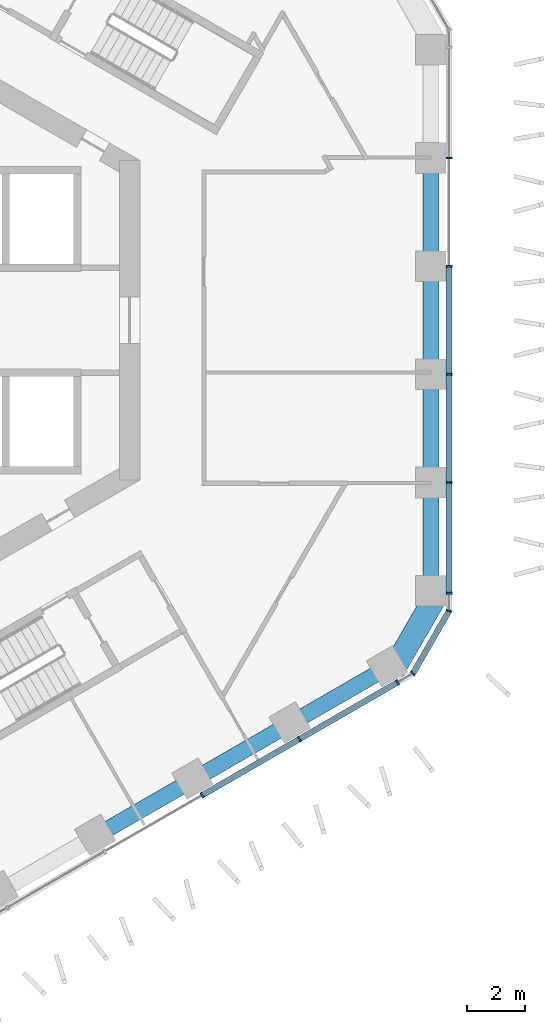
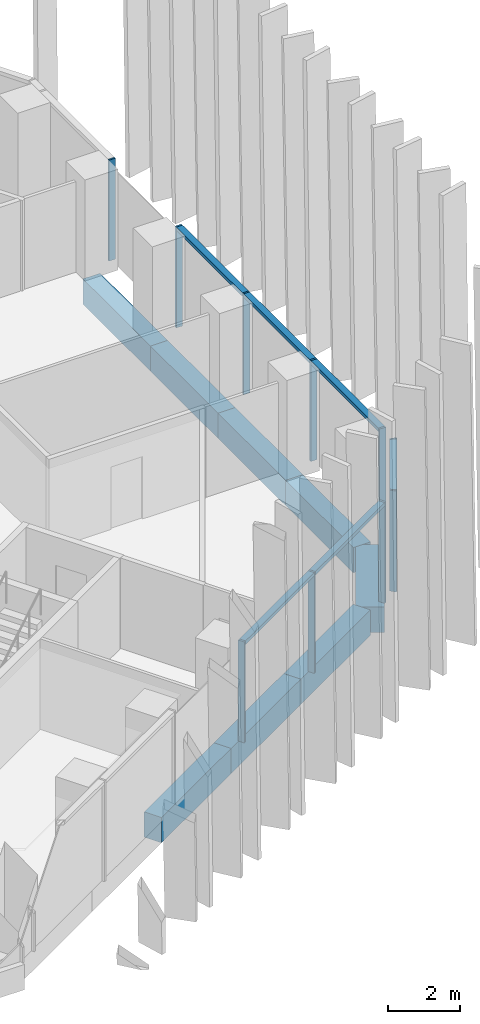
# One storey, part 4 of 19: 13 members, 8 beams, 3 elements without a shape of their own.
"""IFC4 building model written with IfcOpenShell, lengths in metres."""

from ifc_helpers import new_model, si_unit, direction, frame, origin, origin_2d, place, context, subcontext, project, spatial, rectangle, extrude, material, layer, layer_set, material_profile, profile_set, type_object, element, aggregate, save


model = new_model("IFC4")

# Units and contexts
model_context = context("Model", 3, precision=1e-05, world=origin(), true_north=direction((0.0, 1.0)))
body_context = subcontext(model_context, "Body", "Model", "MODEL_VIEW")
ifc_project = project(units=[si_unit("LENGTHUNIT", "METRE"), si_unit("AREAUNIT", "SQUARE_METRE"), si_unit("VOLUMEUNIT", "CUBIC_METRE"), si_unit("PLANEANGLEUNIT", "RADIAN"), si_unit("MASSUNIT", "GRAM", prefix="KILO")], contexts=[model_context])

# Site, building, storey
site_placement = place(None, origin())
site = spatial("IfcSite", under=ifc_project, at=site_placement, CompositionType="ELEMENT")
building_placement = place(site_placement, origin())
building = spatial("IfcBuilding", under=site, at=building_placement, Name="Ayvan Gate Tower", CompositionType="ELEMENT")
storey_placement = place(building_placement, frame((0.0, 0.0, 93.300048828125)))
storey = spatial("IfcBuildingStorey", under=building, at=storey_placement, Name="L24", CompositionType="ELEMENT", Elevation=93.300048828125)

# Beams
ifc_material_1 = material(Name="Concrete C40/50", Category="concrete")
ifc_material_profile_1 = material_profile(ifc_material_1, rectangle(XDim=0.800048828125, YDim=0.85009765625, at=origin_2d()), Name="RC 800x850")
ifc_profile_set_1 = profile_set([ifc_material_profile_1], Name="Concrete C40/50")
beam_type_1 = type_object("IfcBeamType", Name="Corner spandrel beam RC 800x850 C40/50", PredefinedType="BEAM", material=ifc_profile_set_1)
beam_1_placement = place(storey_placement, frame((18.176025390625, -12.0361328125, -0.775146484375), z_axis=(0.499990139034, 0.866031096941, 0.0), x_axis=(-0.866031096941, 0.499990139034, 0.0)))
element("IfcBeam", 1, at=beam_1_placement, inside=storey, type_object=beam_type_1, Name="SB-L24-36", PredefinedType="BEAM", context=body_context, shape_type="SweptSolid", body=[
    extrude(rectangle(XDim=0.800048828125, YDim=0.85009765625, at=origin_2d()), origin(), (0.0, 0.0, 1.0), 3.0),
])
ifc_material_profile_2 = material_profile(ifc_material_1, rectangle(XDim=0.550048828125, YDim=0.85009765625, at=origin_2d()), Name="RC 550x850")
ifc_profile_set_2 = profile_set([ifc_material_profile_2], Name="Concrete C40/50")
beam_type_2 = type_object("IfcBeamType", Name="Spandrel beam RC 550x850 C40/50", PredefinedType="BEAM", material=ifc_profile_set_2)
for number, where, z_axis, x_axis, name in (
    (2, (19.485595703125, -9.327880859375, -0.775146484375), (0.0, 1.0, 0.0), (-1.0, 0.0, 0.0), "SB-L24-1"),
    (3, (19.485595703125, -5.5966796875, -0.775146484375), (0.0, 1.0, 0.0), (-1.0, 0.0, 0.0), "SB-L24-2"),
):
    element("IfcBeam", number, at=place(storey_placement, frame(where, z_axis=z_axis, x_axis=x_axis)), inside=storey, type_object=beam_type_2, Name=name, PredefinedType="BEAM", context=body_context, shape_type="SweptSolid", body=[
        extrude(rectangle(XDim=0.550048828125, YDim=0.85009765625, at=origin_2d()), origin(), (0.0, 0.0, 1.0), 3.731201171875),
    ])
beam_2_placement = place(storey_placement, frame((19.485595703125, -1.865478515625, -0.775146484375), z_axis=(0.0, 1.0, 0.0), x_axis=(-1.0, 0.0, 0.0)))
element("IfcBeam", 4, at=beam_2_placement, inside=storey, type_object=beam_type_2, Name="SB-L24-3", PredefinedType="BEAM", context=body_context, shape_type="SweptSolid", body=[
    extrude(rectangle(XDim=0.550048828125, YDim=0.85009765625, at=origin_2d()), origin(), (0.0, 0.0, 1.0), 3.73095703125),
])
beam_3_placement = place(storey_placement, frame((19.485595703125, 1.865478515625, -0.775146484375), z_axis=(0.0, 1.0, 0.0), x_axis=(-1.0, 0.0, 0.0)))
element("IfcBeam", 5, at=beam_3_placement, inside=storey, type_object=beam_type_2, Name="SB-L24-4", PredefinedType="BEAM", context=body_context, shape_type="SweptSolid", body=[
    extrude(rectangle(XDim=0.550048828125, YDim=0.85009765625, at=origin_2d()), origin(), (0.0, 0.0, 1.0), 3.731201171875),
])
beam_4_placement = place(storey_placement, frame((7.99560546875, -17.69384765625, -0.775146484375), z_axis=(0.86601111527, 0.500024747617, 0.0), x_axis=(-0.500024747617, 0.86601111527, 0.0)))
element("IfcBeam", 6, at=beam_4_placement, inside=storey, type_object=beam_type_2, Name="SB-L24-33", PredefinedType="BEAM", context=body_context, shape_type="SweptSolid", body=[
    extrude(rectangle(XDim=0.550048828125, YDim=0.85009765625, at=origin_2d()), origin(), (0.0, 0.0, 1.0), 3.844970703125),
])
for number, where, z_axis, x_axis, name in (
    (7, (11.325439453125, -15.771240234375, -0.775146484375), (0.866026989333, 0.499997253739, 0.0), (-0.499997253739, 0.866026989333, 0.0), "SB-L24-34"),
    (8, (14.655517578125, -13.8486328125, -0.775146484375), (0.866026989333, 0.499997253739, 0.0), (-0.499997253739, 0.866026989333, 0.0), "SB-L24-35"),
):
    element("IfcBeam", number, at=place(storey_placement, frame(where, z_axis=z_axis, x_axis=x_axis)), inside=storey, type_object=beam_type_2, Name=name, PredefinedType="BEAM", context=body_context, shape_type="SweptSolid", body=[
        extrude(rectangle(XDim=0.550048828125, YDim=0.85009765625, at=origin_2d()), origin(), (0.0, 0.0, 1.0), 3.84521484375),
    ])

# Curtain wall, members
ifc_material_2 = material(Name="Bronze anodised aluminium", Category="aluminium")
ifc_layer_1 = layer(ifc_material_2, 0.199951171875)
ifc_layer_set_1 = layer_set([ifc_layer_1], Name="Bronze anodised aluminium")
curtain_wall_type_1 = type_object("IfcCurtainWallType", Name="Stick curtain wall CW-1", PredefinedType="NOTDEFINED", material=ifc_layer_set_1)
curtain_wall_1_placement = place(storey_placement, origin())
curtain_wall_1 = element("IfcCurtainWall", 9, at=curtain_wall_1_placement, inside=storey, type_object=curtain_wall_type_1, Name="Stick curtain wall CW-1 L24", PredefinedType="NOTDEFINED")
ifc_material_profile_3 = material_profile(ifc_material_2, rectangle(XDim=0.199951171875, YDim=0.06005859375, at=origin_2d()), Name="Stick curtain wall CW-1 mullion 200 x 60")
ifc_profile_set_3 = profile_set([ifc_material_profile_3], Name="Bronze anodised aluminium")
member_type_1 = type_object("IfcMemberType", Name="Stick curtain wall CW-1 mullion 200 x 60", PredefinedType="MULLION", material=ifc_profile_set_3)
member_1_placement = place(storey_placement, frame((11.635986328125, -16.298095703125, 0.0), z_axis=(0.0, 0.0, 1.0), x_axis=(0.5, -0.866025403784, 0.0)))
member_1 = element("IfcMember", 10, at=member_1_placement, type_object=member_type_1, Name="CW-1 mullion 4", PredefinedType="MULLION", context=body_context, shape_type="SweptSolid", body=[
    extrude(rectangle(XDim=0.199951171875, YDim=0.06005859375, at=origin_2d()), origin(), (0.0, 0.0, 1.0), 3.39990234375),
])
member_2_placement = place(storey_placement, frame((14.974365234375, -14.37060546875, 0.0), z_axis=(0.0, 0.0, 1.0), x_axis=(0.5, -0.866025403784, 0.0)))
member_2 = element("IfcMember", 11, at=member_2_placement, type_object=member_type_1, Name="CW-1 mullion 5", PredefinedType="MULLION", context=body_context, shape_type="SweptSolid", body=[
    extrude(rectangle(XDim=0.199951171875, YDim=0.06005859375, at=origin_2d()), origin(), (0.0, 0.0, 1.0), 3.39990234375),
])
member_3_placement = place(storey_placement, frame((18.34326171875, -12.425537109375, 0.0), z_axis=(0.0, 0.0, 1.0), x_axis=(0.5, -0.866025403784, 0.0)))
member_3 = element("IfcMember", 12, at=member_3_placement, type_object=member_type_1, Name="CW-1 mullion 6", PredefinedType="MULLION", context=body_context, shape_type="SweptSolid", body=[
    extrude(rectangle(XDim=0.199951171875, YDim=0.06005859375, at=origin_2d()), origin(), (0.0, 0.0, 1.0), 3.39990234375),
])

curtain_wall_2_placement = place(storey_placement, origin())
curtain_wall_2 = element("IfcCurtainWall", 13, at=curtain_wall_2_placement, inside=storey, type_object=curtain_wall_type_1, Name="Stick curtain wall CW-1 L24", PredefinedType="NOTDEFINED")
member_4_placement = place(storey_placement, frame((20.110595703125, -9.36474609375, 0.0), z_axis=(0.0, 0.0, 1.0), x_axis=(1.0, 0.0, 0.0)))
member_4 = element("IfcMember", 14, at=member_4_placement, type_object=member_type_1, Name="CW-1 mullion 1", PredefinedType="MULLION", context=body_context, shape_type="SweptSolid", body=[
    extrude(rectangle(XDim=0.199951171875, YDim=0.06005859375, at=origin_2d()), origin(), (0.0, 0.0, 1.0), 3.39990234375),
])
member_5_placement = place(storey_placement, frame((20.110595703125, -5.566650390625, 0.0), z_axis=(0.0, 0.0, 1.0), x_axis=(1.0, 0.0, 0.0)))
member_5 = element("IfcMember", 15, at=member_5_placement, type_object=member_type_1, Name="CW-1 mullion 2", PredefinedType="MULLION", context=body_context, shape_type="SweptSolid", body=[
    extrude(rectangle(XDim=0.199951171875, YDim=0.06005859375, at=origin_2d()), origin(), (0.0, 0.0, 1.0), 3.39990234375),
])
member_6_placement = place(storey_placement, frame((20.110595703125, -1.855712890625, 0.0), z_axis=(0.0, 0.0, 1.0), x_axis=(1.0, 0.0, 0.0)))
member_6 = element("IfcMember", 16, at=member_6_placement, type_object=member_type_1, Name="CW-1 mullion 3", PredefinedType="MULLION", context=body_context, shape_type="SweptSolid", body=[
    extrude(rectangle(XDim=0.199951171875, YDim=0.06005859375, at=origin_2d()), origin(), (0.0, 0.0, 1.0), 3.39990234375),
])
member_7_placement = place(storey_placement, frame((20.110595703125, 1.85546875, 0.0), z_axis=(0.0, 0.0, 1.0), x_axis=(1.0, 0.0, 0.0)))
member_7 = element("IfcMember", 17, at=member_7_placement, type_object=member_type_1, Name="CW-1 mullion 4", PredefinedType="MULLION", context=body_context, shape_type="SweptSolid", body=[
    extrude(rectangle(XDim=0.199951171875, YDim=0.06005859375, at=origin_2d()), origin(), (0.0, 0.0, 1.0), 3.39990234375),
])
member_8_placement = place(storey_placement, frame((20.110595703125, 5.5673828125, 0.0), z_axis=(0.0, 0.0, 1.0), x_axis=(1.0, 0.0, 0.0)))
member_8 = element("IfcMember", 18, at=member_8_placement, type_object=member_type_1, Name="CW-1 mullion 5", PredefinedType="MULLION", context=body_context, shape_type="SweptSolid", body=[
    extrude(rectangle(XDim=0.199951171875, YDim=0.06005859375, at=origin_2d()), origin(), (0.0, 0.0, 1.0), 3.39990234375),
])

# Member
ifc_material_profile_4 = material_profile(ifc_material_2, rectangle(XDim=0.199951171875, YDim=0.1201171875, at=origin_2d()), Name="Stick curtain wall CW-1 transom 200 x 120")
ifc_profile_set_4 = profile_set([ifc_material_profile_4], Name="Bronze anodised aluminium")
member_type_2 = type_object("IfcMemberType", Name="Stick curtain wall CW-1 transom 200 x 120", PredefinedType="USERDEFINED", material=ifc_profile_set_4)
member_9_placement = place(storey_placement, frame((11.661865234375, -16.283203125, 3.33984375), z_axis=(0.866016426003, 0.50001554965, 0.0), x_axis=(-0.50001554965, 0.866016426003, 0.0)))
member_9 = element("IfcMember", 19, at=member_9_placement, type_object=member_type_2, Name="CW-1 transom 2", ObjectType="TRANSOM", PredefinedType="USERDEFINED", context=body_context, shape_type="SweptSolid", body=[
    extrude(rectangle(XDim=0.199951171875, YDim=0.1201171875, at=origin_2d()), origin(), (0.0, 0.0, 1.0), 7.715087890625),
])

aggregate(curtain_wall_1, [member_1, member_2, member_3, member_9])

member_10_placement = place(storey_placement, frame((20.110595703125, -9.36474609375, 3.33984375), z_axis=(0.0, 1.0, 0.0), x_axis=(-1.0, 0.0, 0.0)))
member_10 = element("IfcMember", 20, at=member_10_placement, type_object=member_type_2, Name="CW-1 transom 1", ObjectType="TRANSOM", PredefinedType="USERDEFINED", context=body_context, shape_type="SweptSolid", body=[
    extrude(rectangle(XDim=0.199951171875, YDim=0.1201171875, at=origin_2d()), origin(), (0.0, 0.0, 1.0), 11.190185546875),
])

aggregate(curtain_wall_2, [member_4, member_5, member_6, member_7, member_8, member_10])

# Curtain wall, members
ifc_layer_2 = layer(ifc_material_2, 0.199951171875)
ifc_layer_set_2 = layer_set([ifc_layer_2], Name="Bronze anodised aluminium")
curtain_wall_type_2 = type_object("IfcCurtainWallType", Name="Stick curtain wall CW-6", PredefinedType="NOTDEFINED", material=ifc_layer_set_2)
curtain_wall_3_placement = place(storey_placement, origin())
curtain_wall_3 = element("IfcCurtainWall", 21, at=curtain_wall_3_placement, inside=storey, type_object=curtain_wall_type_2, Name="Stick curtain wall CW-6 L24", PredefinedType="NOTDEFINED")
ifc_material_profile_5 = material_profile(ifc_material_2, rectangle(XDim=0.199951171875, YDim=0.050048828125, at=origin_2d()), Name="Stick curtain wall CW-6 mullion 200 x 50")
ifc_profile_set_5 = profile_set([ifc_material_profile_5], Name="Bronze anodised aluminium")
member_type_3 = type_object("IfcMemberType", Name="Stick curtain wall CW-6 mullion 200 x 50", PredefinedType="MULLION", material=ifc_profile_set_5)
member_11_placement = place(storey_placement, frame((18.8671875, -12.123046875, 0.0), z_axis=(0.0, 0.0, 1.0), x_axis=(0.707106781187, -0.707106781187, 0.0)))
member_11 = element("IfcMember", 22, at=member_11_placement, type_object=member_type_3, Name="CW-6 mullion 2", PredefinedType="MULLION", context=body_context, shape_type="SweptSolid", body=[
    extrude(rectangle(XDim=0.199951171875, YDim=0.050048828125, at=origin_2d()), origin(), (0.0, 0.0, 1.0), 3.39990234375),
])
member_12_placement = place(storey_placement, frame((20.110595703125, -9.9697265625, 0.0), z_axis=(0.0, 0.0, 1.0), x_axis=(0.965925826289, -0.258819045103, 0.0)))
member_12 = element("IfcMember", 23, at=member_12_placement, type_object=member_type_3, Name="CW-6 mullion 3", PredefinedType="MULLION", context=body_context, shape_type="SweptSolid", body=[
    extrude(rectangle(XDim=0.199951171875, YDim=0.050048828125, at=origin_2d()), origin(), (0.0, 0.0, 1.0), 3.39990234375),
])
ifc_material_profile_6 = material_profile(ifc_material_2, rectangle(XDim=0.199951171875, YDim=0.1201171875, at=origin_2d()), Name="Stick curtain wall CW-6 transom 200 x 120")
ifc_profile_set_6 = profile_set([ifc_material_profile_6], Name="Bronze anodised aluminium")
member_type_4 = type_object("IfcMemberType", Name="Stick curtain wall CW-6 transom 200 x 120", PredefinedType="USERDEFINED", material=ifc_profile_set_6)
member_13_placement = place(storey_placement, frame((18.8798828125, -12.101318359375, 3.33984375), z_axis=(0.499997116, 0.866027068856, 0.0), x_axis=(-0.866027068856, 0.499997116, 0.0)))
member_13 = element("IfcMember", 24, at=member_13_placement, type_object=member_type_4, Name="CW-6 transom 2", ObjectType="TRANSOM", PredefinedType="USERDEFINED", context=body_context, shape_type="SweptSolid", body=[
    extrude(rectangle(XDim=0.199951171875, YDim=0.1201171875, at=origin_2d()), origin(), (0.0, 0.0, 1.0), 2.4365234375),
])
aggregate(curtain_wall_3, [member_11, member_12, member_13])

save(model, "model.ifc")
